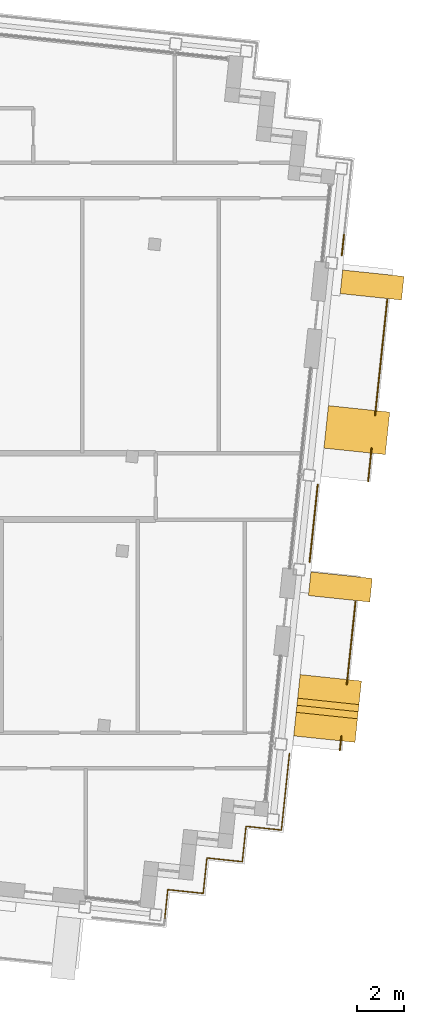
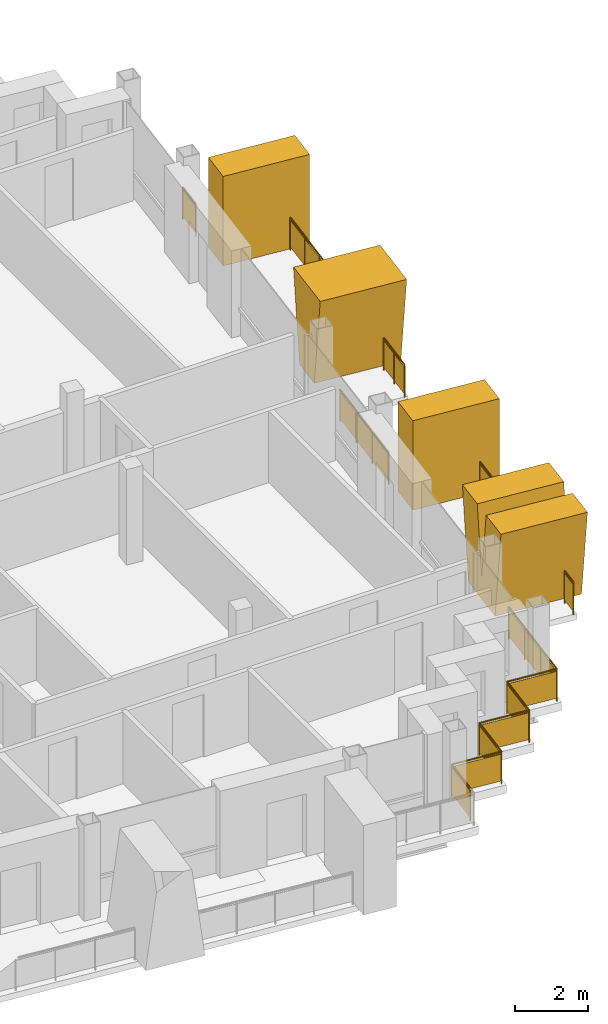
# One storey, part 15 of 17: 7 railings, 4 shading devices.
"""IFC4 building model written with IfcOpenShell, lengths in metres."""

from ifc_helpers import new_model, si_unit, direction, frame, origin, origin_2d, place, context, subcontext, project, spatial, polyline, rectangle, circle, outline, extrude, material, layer, layer_set, type_object, element, save


model = new_model("IFC4")

# Units and contexts
model_context = context("Model", 3, precision=1e-05, world=origin(), true_north=direction((0.0, 1.0)))
body_context = subcontext(model_context, "Body", "Model", "MODEL_VIEW")
ifc_project = project(units=[si_unit("LENGTHUNIT", "METRE"), si_unit("AREAUNIT", "SQUARE_METRE"), si_unit("VOLUMEUNIT", "CUBIC_METRE"), si_unit("PLANEANGLEUNIT", "RADIAN"), si_unit("MASSUNIT", "GRAM", prefix="KILO")], contexts=[model_context])

# Site, building, storey
site_placement = place(None, origin())
site = spatial("IfcSite", under=ifc_project, at=site_placement, CompositionType="ELEMENT")
building_placement = place(site_placement, origin())
building = spatial("IfcBuilding", under=site, at=building_placement, Name="Vidyagriha Tower", CompositionType="ELEMENT")
storey_placement = place(building_placement, frame((0.0, 0.0, 265.89990234375)))
storey = spatial("IfcBuildingStorey", under=building, at=storey_placement, Name="L69", CompositionType="ELEMENT", Elevation=265.89990234375)

# Railings
ifc_material_1 = material(Name="Steel ASTM A500 Grade C black painted", Category="steel")
railing_type_1 = type_object("IfcRailingType", Name="Balcony guard 1100", PredefinedType="BALUSTRADE", material=ifc_material_1)
railing_1_placement = place(storey_placement, frame((32.762451171875, -11.124755859375, 0.0)))
element("IfcRailing", 1, at=railing_1_placement, inside=storey, type_object=railing_type_1, Name="Balcony guard L69 R28.1-1", PredefinedType="BALUSTRADE", context=body_context, shape_type="SweptSolid", body=[
    extrude(circle(Radius=0.02490234375, at=origin_2d()), frame((0.0, 0.0, 1.0751953125), z_axis=(0.104769999459, 0.994496479236, 0.0), x_axis=(-0.994496479236, 0.104769999459, 0.0)), (0.0, 0.0, 1.0), 0.596435546875),
    extrude(circle(Radius=0.02001953125, at=origin_2d()), origin(), (0.0, 0.0, 1.0), 1.050048828125),
    extrude(circle(Radius=0.02001953125, at=origin_2d()), frame((0.0625, 0.59326171875, 0.0)), (0.0, 0.0, 1.0), 1.050048828125),
    extrude(rectangle(XDim=0.010009765625, YDim=0.900146484375, at=origin_2d()), frame((0.0, 0.0, 0.550048828125), z_axis=(0.104769999459, 0.994496479236, 0.0), x_axis=(-0.994496479236, 0.104769999459, 0.0)), (0.0, 0.0, 1.0), 0.596435546875),
])
railing_2_placement = place(storey_placement, frame((33.0556640625, -8.3369140625, 0.0)))
element("IfcRailing", 2, at=railing_2_placement, inside=storey, type_object=railing_type_1, Name="Balcony guard L69 R28.1-2", PredefinedType="BALUSTRADE", context=body_context, shape_type="SweptSolid", body=[
    extrude(circle(Radius=0.02490234375, at=origin_2d()), frame((0.0, 0.0, 1.0751953125), z_axis=(0.104521231062, 0.994522655477, 0.0), x_axis=(-0.994522655477, 0.104521231062, 0.0)), (0.0, 0.0, 1.0), 3.49658203125),
    extrude(circle(Radius=0.02001953125, at=origin_2d()), origin(), (0.0, 0.0, 1.0), 1.050048828125),
    extrude(circle(Radius=0.02001953125, at=origin_2d()), frame((0.121826171875, 1.1591796875, 0.0)), (0.0, 0.0, 1.0), 1.050048828125),
    extrude(circle(Radius=0.02001953125, at=origin_2d()), frame((0.24365234375, 2.318359375, 0.0)), (0.0, 0.0, 1.0), 1.050048828125),
    extrude(circle(Radius=0.02001953125, at=origin_2d()), frame((0.365478515625, 3.4775390625, 0.0)), (0.0, 0.0, 1.0), 1.050048828125),
    extrude(rectangle(XDim=0.010009765625, YDim=0.900146484375, at=origin_2d()), frame((0.0, 0.0, 0.550048828125), z_axis=(0.104521231062, 0.994522655477, 0.0), x_axis=(-0.994522655477, 0.104521231062, 0.0)), (0.0, 0.0, 1.0), 3.49658203125),
])
railing_3_placement = place(storey_placement, frame((33.9541015625, 0.212646484375, 0.0)))
element("IfcRailing", 3, at=railing_3_placement, inside=storey, type_object=railing_type_1, Name="Balcony guard L69 R28.2-1", PredefinedType="BALUSTRADE", context=body_context, shape_type="SweptSolid", body=[
    extrude(circle(Radius=0.02490234375, at=origin_2d()), frame((0.0, 0.0, 1.0751953125), z_axis=(0.104521012602, 0.994522678437, 0.0), x_axis=(-0.994522678437, 0.104521012602, 0.0)), (0.0, 0.0, 1.0), 1.396728515625),
    extrude(circle(Radius=0.02001953125, at=origin_2d()), origin(), (0.0, 0.0, 1.0), 1.050048828125),
    extrude(circle(Radius=0.02001953125, at=origin_2d()), frame((0.072998046875, 0.694580078125, 0.0)), (0.0, 0.0, 1.0), 1.050048828125),
    extrude(circle(Radius=0.02001953125, at=origin_2d()), frame((0.14599609375, 1.38916015625, 0.0)), (0.0, 0.0, 1.0), 1.050048828125),
    extrude(rectangle(XDim=0.010009765625, YDim=0.900146484375, at=origin_2d()), frame((0.0, 0.0, 0.550048828125), z_axis=(0.104521012602, 0.994522678437, 0.0), x_axis=(-0.994522678437, 0.104521012602, 0.0)), (0.0, 0.0, 1.0), 1.396728515625),
])
railing_4_placement = place(storey_placement, frame((34.2470703125, 3.000732421875, 0.0)))
element("IfcRailing", 4, at=railing_4_placement, inside=storey, type_object=railing_type_1, Name="Balcony guard L69 R28.2-2", PredefinedType="BALUSTRADE", context=body_context, shape_type="SweptSolid", body=[
    extrude(circle(Radius=0.02490234375, at=origin_2d()), frame((0.0, 0.0, 1.0751953125), z_axis=(0.104552420599, 0.99451937706, 0.0), x_axis=(-0.99451937706, 0.104552420599, 0.0)), (0.0, 0.0, 1.0), 4.896728515625),
    extrude(circle(Radius=0.02001953125, at=origin_2d()), origin(), (0.0, 0.0, 1.0), 1.050048828125),
    extrude(circle(Radius=0.02001953125, at=origin_2d()), frame((0.102294921875, 0.973876953125, 0.0)), (0.0, 0.0, 1.0), 1.050048828125),
    extrude(circle(Radius=0.02001953125, at=origin_2d()), frame((0.204833984375, 1.947998046875, 0.0)), (0.0, 0.0, 1.0), 1.050048828125),
    extrude(circle(Radius=0.02001953125, at=origin_2d()), frame((0.30712890625, 2.921875, 0.0)), (0.0, 0.0, 1.0), 1.050048828125),
    extrude(circle(Radius=0.02001953125, at=origin_2d()), frame((0.40966796875, 3.89599609375, 0.0)), (0.0, 0.0, 1.0), 1.050048828125),
    extrude(circle(Radius=0.02001953125, at=origin_2d()), frame((0.511962890625, 4.869873046875, 0.0)), (0.0, 0.0, 1.0), 1.050048828125),
    extrude(rectangle(XDim=0.010009765625, YDim=0.900146484375, at=origin_2d()), frame((0.0, 0.0, 0.550048828125), z_axis=(0.104552420599, 0.99451937706, 0.0), x_axis=(-0.99451937706, 0.104552420599, 0.0)), (0.0, 0.0, 1.0), 4.896728515625),
])

# Shading devices
ifc_material_2 = material(Name="Precast concrete C40/50 with buff brick facing", Category="concrete")
ifc_layer_1 = layer(ifc_material_2, 1.0)
ifc_layer_set_1 = layer_set([ifc_layer_1], Name="Precast concrete C40/50 with buff brick facing")
shading_device_type_1 = type_object("IfcShadingDeviceType", Name="Brick-faced blade fin forking 8 degrees", PredefinedType="USERDEFINED", material=ifc_layer_set_1)
shading_device_1_placement = place(storey_placement, frame((32.108154296875, -10.65380859375, 0.0), z_axis=(0.0, 0.0, 1.0), x_axis=(0.104513699976, 0.994523446942, 0.0)))
element("IfcShadingDevice", 5, at=shading_device_1_placement, inside=storey, type_object=shading_device_type_1, Name="Forked blade fin L69 R28.250a", ObjectType="BLADE FIN", PredefinedType="USERDEFINED", context=body_context, shape_type="SweptSolid", body=[
    extrude(outline(polyline([(0.39990234375, 0.0), (2.199951171875, 0.0), (2.60009765625, 3.0), (1.60009765625, 3.0), (1.300048828125, 0.75), (1.0, 3.0), (0.0, 3.0), (0.39990234375, 0.0)])), frame((0.0, 1.300048828125, 0.0), z_axis=(0.0, -1.0, 0.0), x_axis=(1.0, 0.0, 0.0)), (0.0, 0.0, 1.0), 2.60009765625),
])
shading_device_2_placement = place(storey_placement, frame((33.38330078125, 1.479248046875, 0.0), z_axis=(0.0, 0.0, 1.0), x_axis=(0.104564767339, 0.994518078987, 0.0)))
element("IfcShadingDevice", 6, at=shading_device_2_placement, inside=storey, type_object=shading_device_type_1, Name="Forked blade fin L69 R28.1390a", ObjectType="BLADE FIN", PredefinedType="USERDEFINED", context=body_context, shape_type="SweptSolid", body=[
    extrude(outline(polyline([(0.39990234375, 0.0), (1.39990234375, 0.0), (1.800048828125, 3.0), (0.0, 3.0), (0.39990234375, 0.0)])), frame((0.0, 1.300048828125, 0.0), z_axis=(0.0, -1.0, 0.0), x_axis=(1.0, 0.0, 0.0)), (0.0, 0.0, 1.0), 2.60009765625),
])
ifc_material_3 = material(Name="Precast concrete C40/50 with buff brick facing", Category="concrete")
ifc_layer_2 = layer(ifc_material_3, 1.0)
ifc_layer_set_2 = layer_set([ifc_layer_2], Name="Precast concrete C40/50 with buff brick facing")
shading_device_type_2 = type_object("IfcShadingDeviceType", Name="Brick-faced blade fin stem 1000", PredefinedType="USERDEFINED", material=ifc_layer_set_2)
for number, where, z_axis, x_axis, name in (
    (7, (32.72998046875, -4.736328125, 0.0), (0.0, 0.0, 1.0), (0.104748335039, 0.99449876134, 0.0), "Stem blade fin L69 R28.990a"),
    (8, (34.068115234375, 7.993408203125, 0.0), (0.0, 0.0, 1.0), (0.104481464157, 0.994526834051, 0.0), "Stem blade fin L69 R28.2290a"),
):
    element("IfcShadingDevice", number, at=place(storey_placement, frame(where, z_axis=z_axis, x_axis=x_axis)), inside=storey, type_object=shading_device_type_2, Name=name, ObjectType="BLADE FIN", PredefinedType="USERDEFINED", context=body_context, shape_type="SweptSolid", body=[
        extrude(outline(polyline([(0.0, 0.0), (1.0, 0.0), (1.0, 3.0), (0.0, 3.0), (0.0, 0.0)])), frame((0.0, 1.300048828125, 0.0), z_axis=(0.0, -1.0, 0.0), x_axis=(1.0, 0.0, 0.0)), (0.0, 0.0, 1.0), 2.60009765625),
    ])

# Railings
ifc_material_4 = material(Name="Steel ASTM A500 Grade C black painted", Category="steel")
railing_type_2 = type_object("IfcRailingType", Name="Gallery guard 1100", PredefinedType="GUARDRAIL", material=ifc_material_4)
railing_5_placement = place(storey_placement, frame((32.93603515625, 10.615966796875, 0.0)))
element("IfcRailing", 9, at=railing_5_placement, inside=storey, type_object=railing_type_2, Name="Gallery guard L69 10", PredefinedType="GUARDRAIL", context=body_context, shape_type="SweptSolid", body=[
    extrude(circle(Radius=0.02490234375, at=origin_2d()), frame((0.0, 0.0, 1.0751953125), z_axis=(-0.104612561624, -0.99451305268, 0.0), x_axis=(0.99451305268, -0.104612561624, 0.0)), (0.0, 0.0, 1.0), 0.8798828125),
    extrude(circle(Radius=0.02001953125, at=origin_2d()), origin(), (0.0, 0.0, 1.0), 1.050048828125),
    extrude(circle(Radius=0.02001953125, at=origin_2d()), frame((-0.092041015625, -0.875, 0.0)), (0.0, 0.0, 1.0), 1.050048828125),
    extrude(rectangle(XDim=0.010009765625, YDim=0.900146484375, at=origin_2d()), frame((0.0, 0.0, 0.550048828125), z_axis=(-0.104612561624, -0.99451305268, 0.0), x_axis=(0.99451305268, -0.104612561624, 0.0)), (0.0, 0.0, 1.0), 0.8798828125),
])
railing_6_placement = place(storey_placement, frame((30.636474609375, -11.263427734375, 0.0)))
element("IfcRailing", 10, at=railing_6_placement, inside=storey, type_object=railing_type_2, Name="Gallery guard L69 11", PredefinedType="GUARDRAIL", context=body_context, shape_type="SweptSolid", body=[
    extrude(circle(Radius=0.02490234375, at=origin_2d()), frame((0.0, 0.0, 1.0751953125), z_axis=(-0.104590643799, -0.994515357966, 0.0), x_axis=(0.994515357966, -0.104590643799, 0.0)), (0.0, 0.0, 1.0), 3.239990234375),
    extrude(circle(Radius=0.02490234375, at=origin_2d()), frame((-0.3388671875, -3.22216796875, 1.0751953125), z_axis=(-0.994525057048, 0.104498377516, 0.0), x_axis=(-0.104498377516, -0.994525057048, 0.0)), (0.0, 0.0, 1.0), 1.5),
    extrude(circle(Radius=0.02490234375, at=origin_2d()), frame((-1.83056640625, -3.0654296875, 1.0751953125), z_axis=(-0.104498377516, -0.994525057048, 0.0), x_axis=(0.994525057048, -0.104498377516, 0.0)), (0.0, 0.0, 1.0), 1.5),
    extrude(circle(Radius=0.02490234375, at=origin_2d()), frame((-1.9873046875, -4.55712890625, 1.0751953125), z_axis=(-0.994525057048, 0.104498377516, 0.0), x_axis=(-0.104498377516, -0.994525057048, 0.0)), (0.0, 0.0, 1.0), 1.5),
    extrude(circle(Radius=0.02490234375, at=origin_2d()), frame((-3.47900390625, -4.400390625, 1.0751953125), z_axis=(-0.104659366031, -0.994508128223, 0.0), x_axis=(0.994508128223, -0.104659366031, 0.0)), (0.0, 0.0, 1.0), 1.5),
    extrude(circle(Radius=0.02490234375, at=origin_2d()), frame((-3.635986328125, -5.89208984375, 1.0751953125), z_axis=(-0.994525057048, 0.104498377516, 0.0), x_axis=(-0.104498377516, -0.994525057048, 0.0)), (0.0, 0.0, 1.0), 1.5),
    extrude(circle(Radius=0.02490234375, at=origin_2d()), frame((-5.127685546875, -5.7353515625, 1.0751953125), z_axis=(-0.104432637393, -0.994531962406, 0.0), x_axis=(0.994531962406, -0.104432637393, 0.0)), (0.0, 0.0, 1.0), 1.260009765625),
    extrude(circle(Radius=0.02001953125, at=origin_2d()), origin(), (0.0, 0.0, 1.0), 1.050048828125),
    extrude(circle(Radius=0.02001953125, at=origin_2d()), frame((-0.113037109375, -1.073974609375, 0.0)), (0.0, 0.0, 1.0), 1.050048828125),
    extrude(circle(Radius=0.02001953125, at=origin_2d()), frame((-0.225830078125, -2.148193359375, 0.0)), (0.0, 0.0, 1.0), 1.050048828125),
    extrude(circle(Radius=0.02001953125, at=origin_2d()), frame((-0.3388671875, -3.22216796875, 0.0)), (0.0, 0.0, 1.0), 1.050048828125),
    extrude(circle(Radius=0.02001953125, at=origin_2d()), frame((-1.83056640625, -3.0654296875, 0.0)), (0.0, 0.0, 1.0), 1.050048828125),
    extrude(circle(Radius=0.02001953125, at=origin_2d()), frame((-1.9873046875, -4.55712890625, 0.0)), (0.0, 0.0, 1.0), 1.050048828125),
    extrude(circle(Radius=0.02001953125, at=origin_2d()), frame((-3.47900390625, -4.400390625, 0.0)), (0.0, 0.0, 1.0), 1.050048828125),
    extrude(circle(Radius=0.02001953125, at=origin_2d()), frame((-3.635986328125, -5.89208984375, 0.0)), (0.0, 0.0, 1.0), 1.050048828125),
    extrude(circle(Radius=0.02001953125, at=origin_2d()), frame((-5.127685546875, -5.7353515625, 0.0)), (0.0, 0.0, 1.0), 1.050048828125),
    extrude(circle(Radius=0.02001953125, at=origin_2d()), frame((-5.25927734375, -6.988525390625, 0.0)), (0.0, 0.0, 1.0), 1.050048828125),
    extrude(rectangle(XDim=0.010009765625, YDim=0.900146484375, at=origin_2d()), frame((0.0, 0.0, 0.550048828125), z_axis=(-0.104590643799, -0.994515357966, 0.0), x_axis=(0.994515357966, -0.104590643799, 0.0)), (0.0, 0.0, 1.0), 3.239990234375),
    extrude(rectangle(XDim=0.010009765625, YDim=0.900146484375, at=origin_2d()), frame((-0.3388671875, -3.22216796875, 0.550048828125), z_axis=(-0.994525057048, 0.104498377516, 0.0), x_axis=(-0.104498377516, -0.994525057048, 0.0)), (0.0, 0.0, 1.0), 1.5),
    extrude(rectangle(XDim=0.010009765625, YDim=0.900146484375, at=origin_2d()), frame((-1.83056640625, -3.0654296875, 0.550048828125), z_axis=(-0.104498377516, -0.994525057048, 0.0), x_axis=(0.994525057048, -0.104498377516, 0.0)), (0.0, 0.0, 1.0), 1.5),
    extrude(rectangle(XDim=0.010009765625, YDim=0.900146484375, at=origin_2d()), frame((-1.9873046875, -4.55712890625, 0.550048828125), z_axis=(-0.994525057048, 0.104498377516, 0.0), x_axis=(-0.104498377516, -0.994525057048, 0.0)), (0.0, 0.0, 1.0), 1.5),
    extrude(rectangle(XDim=0.010009765625, YDim=0.900146484375, at=origin_2d()), frame((-3.47900390625, -4.400390625, 0.550048828125), z_axis=(-0.104659366031, -0.994508128223, 0.0), x_axis=(0.994508128223, -0.104659366031, 0.0)), (0.0, 0.0, 1.0), 1.5),
    extrude(rectangle(XDim=0.010009765625, YDim=0.900146484375, at=origin_2d()), frame((-3.635986328125, -5.89208984375, 0.550048828125), z_axis=(-0.994525057048, 0.104498377516, 0.0), x_axis=(-0.104498377516, -0.994525057048, 0.0)), (0.0, 0.0, 1.0), 1.5),
    extrude(rectangle(XDim=0.010009765625, YDim=0.900146484375, at=origin_2d()), frame((-5.127685546875, -5.7353515625, 0.550048828125), z_axis=(-0.104432637393, -0.994531962406, 0.0), x_axis=(0.994531962406, -0.104432637393, 0.0)), (0.0, 0.0, 1.0), 1.260009765625),
])
railing_7_placement = place(storey_placement, frame((31.827880859375, 0.07421875, 0.0)))
element("IfcRailing", 11, at=railing_7_placement, inside=storey, type_object=railing_type_2, Name="Gallery guard L69 13", PredefinedType="GUARDRAIL", context=body_context, shape_type="SweptSolid", body=[
    extrude(circle(Radius=0.02490234375, at=origin_2d()), frame((0.0, 0.0, 1.0751953125), z_axis=(-0.104506547029, -0.994524198614, 0.0), x_axis=(0.994524198614, -0.104506547029, 0.0)), (0.0, 0.0, 1.0), 3.280029296875),
    extrude(circle(Radius=0.02001953125, at=origin_2d()), origin(), (0.0, 0.0, 1.0), 1.050048828125),
    extrude(circle(Radius=0.02001953125, at=origin_2d()), frame((-0.1142578125, -1.08740234375, 0.0)), (0.0, 0.0, 1.0), 1.050048828125),
    extrude(circle(Radius=0.02001953125, at=origin_2d()), frame((-0.228515625, -2.174560546875, 0.0)), (0.0, 0.0, 1.0), 1.050048828125),
    extrude(circle(Radius=0.02001953125, at=origin_2d()), frame((-0.3427734375, -3.261962890625, 0.0)), (0.0, 0.0, 1.0), 1.050048828125),
    extrude(rectangle(XDim=0.010009765625, YDim=0.900146484375, at=origin_2d()), frame((0.0, 0.0, 0.550048828125), z_axis=(-0.104506547029, -0.994524198614, 0.0), x_axis=(0.994524198614, -0.104506547029, 0.0)), (0.0, 0.0, 1.0), 3.280029296875),
])

save(model, "model.ifc")
